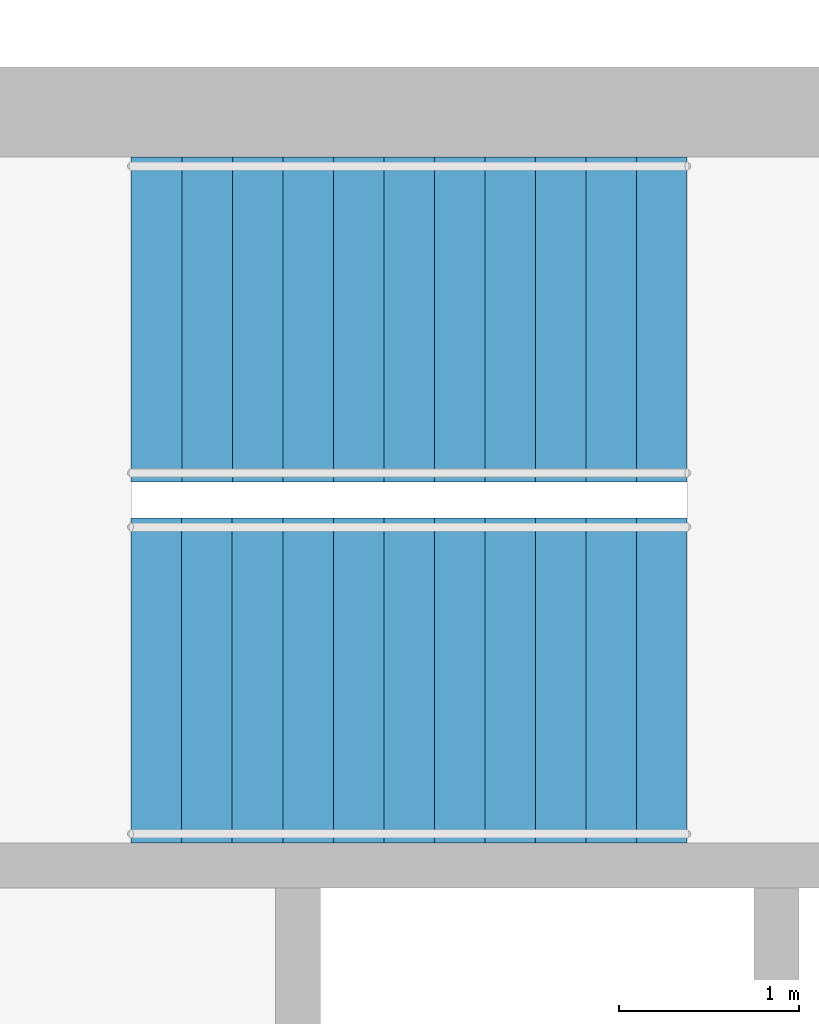
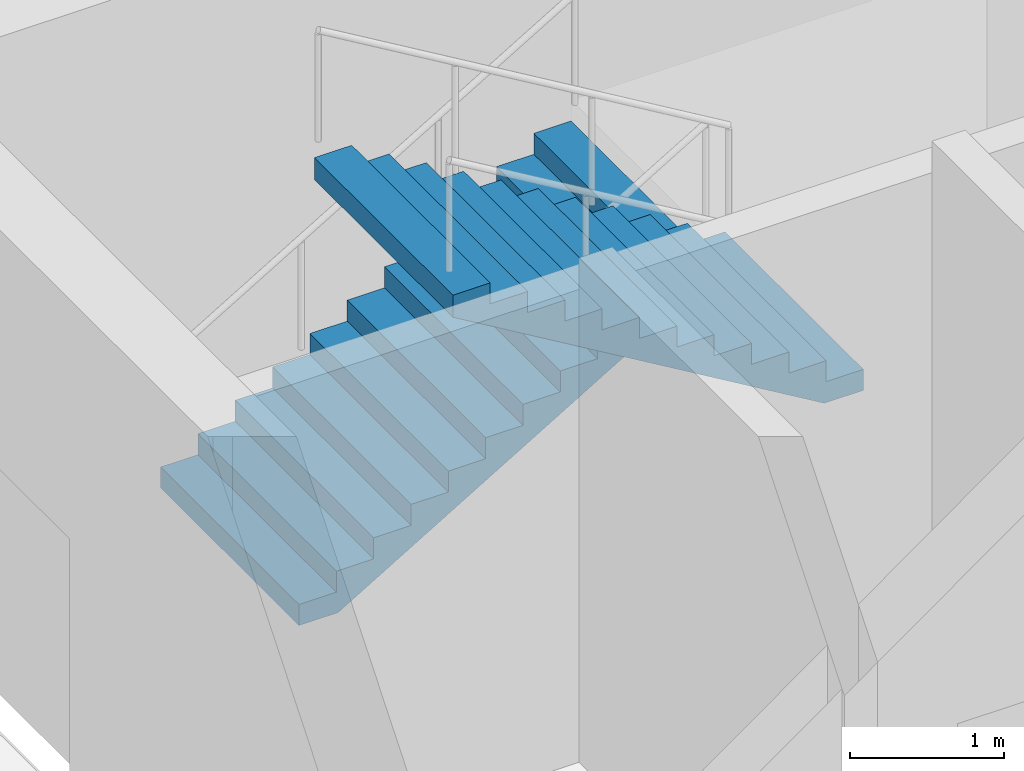
# One storey, part 9 of 12: 2 stair flights, 1 element without a shape of its own.
"""IFC4 building model written with IfcOpenShell, lengths in metres."""

from ifc_helpers import new_model, si_unit, direction, frame, origin, place, context, subcontext, project, spatial, polyline, outline, extrude, material, type_object, element, aggregate, save


model = new_model("IFC4")

# Units and contexts
model_context = context("Model", 3, precision=1e-05, world=origin(), true_north=direction((0.0, 1.0)))
body_context = subcontext(model_context, "Body", "Model", "MODEL_VIEW")
ifc_project = project(units=[si_unit("LENGTHUNIT", "METRE"), si_unit("AREAUNIT", "SQUARE_METRE"), si_unit("VOLUMEUNIT", "CUBIC_METRE"), si_unit("PLANEANGLEUNIT", "RADIAN"), si_unit("MASSUNIT", "GRAM", prefix="KILO")], contexts=[model_context])

# Site, building, storey
site_placement = place(None, origin())
site = spatial("IfcSite", under=ifc_project, at=site_placement, CompositionType="ELEMENT")
building_placement = place(site_placement, origin())
building = spatial("IfcBuilding", under=site, at=building_placement, Name="Corbel Yard City Hall", CompositionType="ELEMENT")
storey_placement = place(building_placement, frame((0.0, 0.0, 31.199951171875)))
storey = spatial("IfcBuildingStorey", under=building, at=storey_placement, Name="L07", CompositionType="ELEMENT", Elevation=31.199951171875)

# Stair, stair flights
ifc_material = material(Name="Concrete N40 (40 MPa)", Category="concrete")
stair_type = type_object("IfcStairType", Name="ST4", PredefinedType="HALF_TURN_STAIR", material=ifc_material)
stair_placement = place(storey_placement, origin())
stair = element("IfcStair", 1, at=stair_placement, inside=storey, type_object=stair_type, Name="Exit stair ST-E2 L07", PredefinedType="HALF_TURN_STAIR")
stair_flight_type = type_object("IfcStairFlightType", Name="FL4", PredefinedType="STRAIGHT", material=ifc_material)
stair_flight_1_placement = place(storey_placement, frame((47.300048828125, 115.60009765625, 0.0), z_axis=(0.0, 0.0, 1.0), x_axis=(1.0, 0.0, 0.0)))
stair_flight_1 = element("IfcStairFlight", 2, at=stair_flight_1_placement, type_object=stair_flight_type, Name="ST-E2 flight 1", NumberOfRisers=12, NumberOfTreads=11, PredefinedType="STRAIGHT", RiserHeight=0.166667, TreadLength=0.28, context=body_context, shape_type="SweptSolid", body=[
    extrude(outline(polyline([(0.0, 0.0), (0.0, 0.166748046875), (0.280029296875, 0.166748046875), (0.280029296875, 0.333251953125), (0.56005859375, 0.333251953125), (0.56005859375, 0.5), (0.840087890625, 0.5), (0.840087890625, 0.666748046875), (1.1201171875, 0.666748046875), (1.1201171875, 0.833251953125), (1.39990234375, 0.833251953125), (1.39990234375, 1.0), (1.679931640625, 1.0), (1.679931640625, 1.166748046875), (1.9599609375, 1.166748046875), (1.9599609375, 1.333251953125), (2.239990234375, 1.333251953125), (2.239990234375, 1.5), (2.52001953125, 1.5), (2.52001953125, 1.666748046875), (2.800048828125, 1.666748046875), (2.800048828125, 1.833251953125), (3.080078125, 1.833251953125), (3.080078125, 2.0), (3.080078125, 1.658935546875), (0.29296875, 0.0), (0.0, 0.0)])), frame((0.0, 0.89990234375, 0.0), z_axis=(0.0, -1.0, 0.0), x_axis=(1.0, 0.0, 0.0)), (0.0, 0.0, 1.0), 1.800048828125),
])
stair_flight_2_placement = place(storey_placement, frame((50.3798828125, 113.60009765625, 2.0), z_axis=(0.0, 0.0, 1.0), x_axis=(-1.0, 0.0, 0.0)))
stair_flight_2 = element("IfcStairFlight", 3, at=stair_flight_2_placement, type_object=stair_flight_type, Name="ST-E2 flight 2", NumberOfRisers=12, NumberOfTreads=11, PredefinedType="STRAIGHT", RiserHeight=0.166667, TreadLength=0.28, context=body_context, shape_type="SweptSolid", body=[
    extrude(outline(polyline([(0.0, 0.0), (0.0, 0.166748046875), (0.280029296875, 0.166748046875), (0.280029296875, 0.333251953125), (0.56005859375, 0.333251953125), (0.56005859375, 0.5), (0.840087890625, 0.5), (0.840087890625, 0.666748046875), (1.1201171875, 0.666748046875), (1.1201171875, 0.833251953125), (1.39990234375, 0.833251953125), (1.39990234375, 1.0), (1.679931640625, 1.0), (1.679931640625, 1.166748046875), (1.9599609375, 1.166748046875), (1.9599609375, 1.333251953125), (2.239990234375, 1.333251953125), (2.239990234375, 1.5), (2.52001953125, 1.5), (2.52001953125, 1.666748046875), (2.800048828125, 1.666748046875), (2.800048828125, 1.833251953125), (3.080078125, 1.833251953125), (3.080078125, 2.0), (3.080078125, 1.658935546875), (0.29296875, 0.0), (0.0, 0.0)])), frame((0.0, 0.89990234375, 0.0), z_axis=(0.0, -1.0, 0.0), x_axis=(1.0, 0.0, 0.0)), (0.0, 0.0, 1.0), 1.800048828125),
])
aggregate(stair, [stair_flight_1, stair_flight_2])

save(model, "model.ifc")
